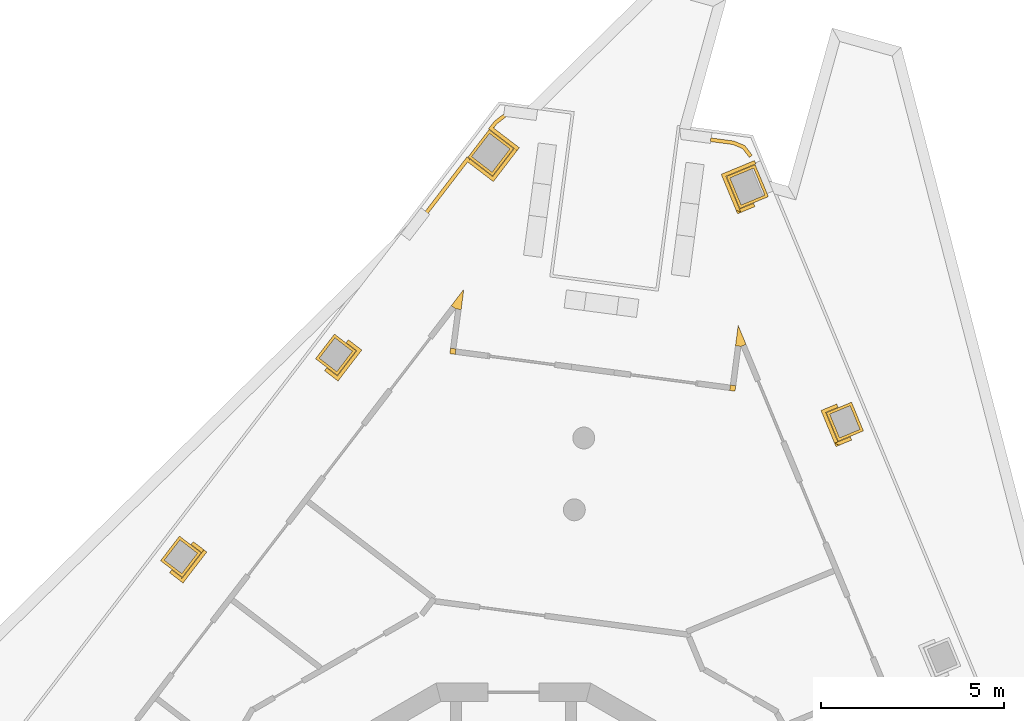
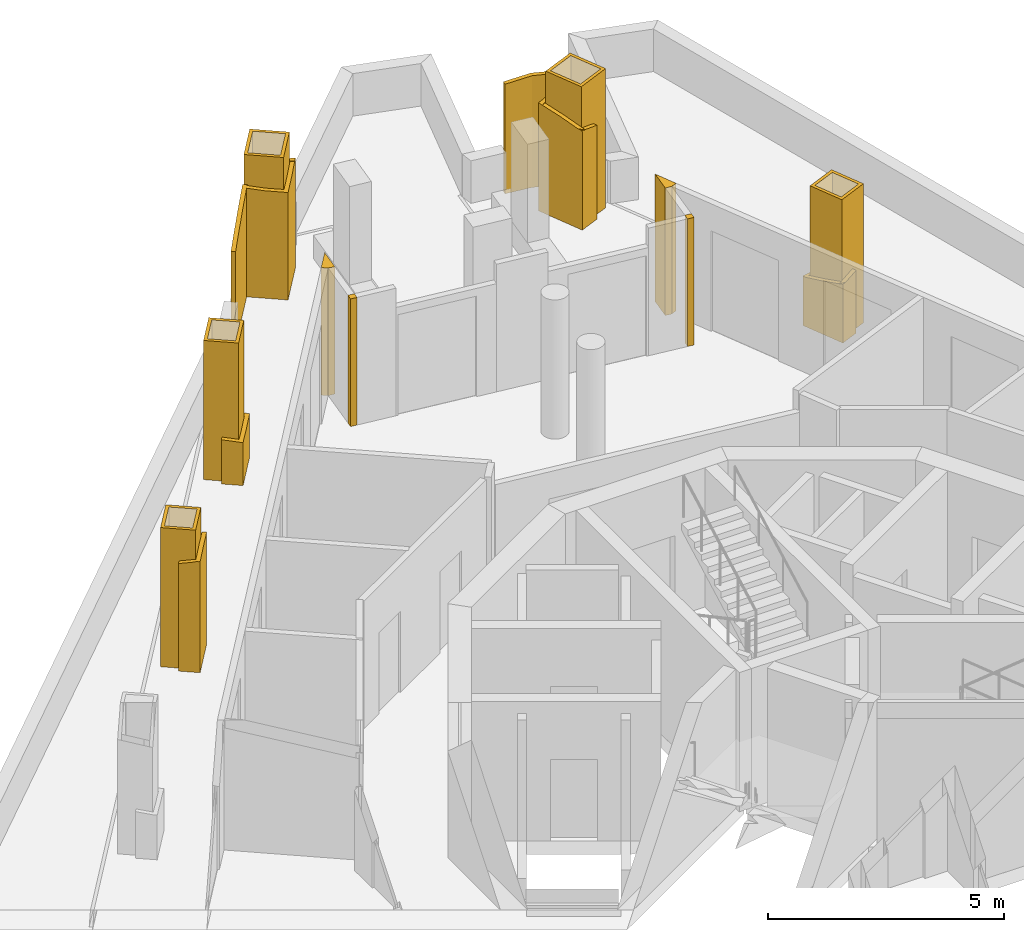
# One storey, part 11 of 12: 9 coverings, 6 railings.
"""IFC4 building model written with IfcOpenShell, lengths in metres."""

from ifc_helpers import new_model, si_unit, direction, frame, origin, place, context, subcontext, project, spatial, polyline, outline, extrude, material, layer, layer_set, type_object, element, save


model = new_model("IFC4")

# Units and contexts
model_context = context("Model", 3, precision=1e-05, world=origin(), true_north=direction((0.0, 1.0)))
body_context = subcontext(model_context, "Body", "Model", "MODEL_VIEW")
ifc_project = project(units=[si_unit("LENGTHUNIT", "METRE"), si_unit("AREAUNIT", "SQUARE_METRE"), si_unit("VOLUMEUNIT", "CUBIC_METRE"), si_unit("PLANEANGLEUNIT", "RADIAN"), si_unit("MASSUNIT", "GRAM", prefix="KILO")], contexts=[model_context])

# Site, building, storey
site_placement = place(None, origin())
site = spatial("IfcSite", under=ifc_project, at=site_placement, CompositionType="ELEMENT")
building_placement = place(site_placement, origin())
building = spatial("IfcBuilding", under=site, at=building_placement, Name="Trine Commons Tower", CompositionType="ELEMENT")
storey_placement = place(building_placement, frame((0.0, 0.0, 271.800048828125)))
storey = spatial("IfcBuildingStorey", under=building, at=storey_placement, Name="L71", CompositionType="ELEMENT", Elevation=271.800048828125)

# Coverings
ifc_material_1 = material(Name="Aluminium-framed insulated wall panel", Category="aluminium")
ifc_layer_1 = layer(ifc_material_1, 0.14990234375)
ifc_layer_set_1 = layer_set([ifc_layer_1], Name="Aluminium-framed insulated wall panel")
covering_type_1 = type_object("IfcCoveringType", Name="Glazing corner post, aluminium", PredefinedType="CLADDING", material=ifc_layer_set_1)
covering_1_placement = place(storey_placement, origin())
element("IfcCovering", 1, at=covering_1_placement, inside=storey, type_object=covering_type_1, Name="Glazing corner post 8-02", PredefinedType="CLADDING", context=body_context, shape_type="SweptSolid", body=[
    extrude(outline(polyline([(78.41845703125, 80.671875), (78.567138671875, 80.652099609375), (78.64013671875, 81.207275390625), (78.29931640625, 80.76318359375), (78.41845703125, 80.671875), (78.41845703125, 80.671875)])), origin(), (0.0, 0.0, 1.0), 3.300048828125),
])
covering_2_placement = place(storey_placement, origin())
element("IfcCovering", 2, at=covering_2_placement, inside=storey, type_object=covering_type_1, Name="Glazing corner post 8-03", PredefinedType="CLADDING", context=body_context, shape_type="SweptSolid", body=[
    extrude(outline(polyline([(78.40576171875, 79.427001953125), (78.42529296875, 79.57568359375), (78.276611328125, 79.59521484375), (78.257080078125, 79.446533203125), (78.40576171875, 79.427001953125)])), origin(), (0.0, 0.0, 1.0), 3.300048828125),
])
covering_3_placement = place(storey_placement, origin())
element("IfcCovering", 3, at=covering_3_placement, inside=storey, type_object=covering_type_1, Name="Glazing corner post 8-04", PredefinedType="CLADDING", context=body_context, shape_type="SweptSolid", body=[
    extrude(outline(polyline([(85.9208984375, 78.437744140625), (86.069580078125, 78.418212890625), (86.089111328125, 78.56689453125), (85.9404296875, 78.58642578125), (85.9208984375, 78.437744140625)])), origin(), (0.0, 0.0, 1.0), 3.300048828125),
])
covering_4_placement = place(storey_placement, origin())
element("IfcCovering", 4, at=covering_4_placement, inside=storey, type_object=covering_type_1, Name="Glazing corner post 8-05", PredefinedType="CLADDING", context=body_context, shape_type="SweptSolid", body=[
    extrude(outline(polyline([(86.082275390625, 79.662841796875), (86.23095703125, 79.643310546875), (86.369384765625, 79.70068359375), (86.1552734375, 80.2177734375), (86.082275390625, 79.662841796875)])), origin(), (0.0, 0.0, 1.0), 3.300048828125),
])
ifc_material_2 = material(Name="Limestone, honed", Category="masonry")
ifc_layer_2 = layer(ifc_material_2, 0.074951171875)
ifc_layer_set_2 = layer_set([ifc_layer_2], Name="Limestone, honed")
covering_type_2 = type_object("IfcCoveringType", Name="Limestone column cladding 75", PredefinedType="CLADDING", material=ifc_layer_set_2)
covering_5_placement = place(storey_placement, origin())
element("IfcCovering", 5, at=covering_5_placement, inside=storey, type_object=covering_type_2, Name="Limestone pier cladding 8-10", PredefinedType="CLADDING", context=body_context, shape_type="SweptSolid", body=[
    extrude(outline(polyline([(71.447021484375, 73.9931640625), (70.85205078125, 74.44970703125), (70.334716796875, 73.775390625), (70.9296875, 73.318603515625), (71.447021484375, 73.9931640625)]), holes=[polyline([(71.341796875, 73.979248046875), (70.865966796875, 74.344482421875), (70.439697265625, 73.789306640625), (70.915771484375, 73.423828125), (71.341796875, 73.979248046875)])]), origin(), (0.0, 0.0, 1.0), 3.599853515625),
])
covering_6_placement = place(storey_placement, origin())
element("IfcCovering", 6, at=covering_6_placement, inside=storey, type_object=covering_type_2, Name="Limestone pier cladding 8-11", PredefinedType="CLADDING", context=body_context, shape_type="SweptSolid", body=[
    extrude(outline(polyline([(75.691650390625, 79.52490234375), (75.0966796875, 79.9814453125), (74.579345703125, 79.30712890625), (75.17431640625, 78.8505859375), (75.691650390625, 79.52490234375)]), holes=[polyline([(75.586669921875, 79.510986328125), (75.110595703125, 79.876220703125), (74.684326171875, 79.321044921875), (75.160400390625, 78.955810546875), (75.586669921875, 79.510986328125)])]), origin(), (0.0, 0.0, 1.0), 3.599853515625),
])
covering_7_placement = place(storey_placement, origin())
element("IfcCovering", 7, at=covering_7_placement, inside=storey, type_object=covering_type_2, Name="Limestone pier cladding 8-12", PredefinedType="CLADDING", context=body_context, shape_type="SweptSolid", body=[
    extrude(outline(polyline([(80.006591796875, 85.06591796875), (79.332275390625, 85.58349609375), (78.75390625, 84.829833984375), (79.42822265625, 84.312255859375), (80.006591796875, 85.06591796875)]), holes=[polyline([(79.9013671875, 85.05224609375), (79.345947265625, 85.478271484375), (78.85888671875, 84.843505859375), (79.414306640625, 84.41748046875), (79.9013671875, 85.05224609375)])]), origin(), (0.0, 0.0, 1.0), 3.599853515625),
])
covering_8_placement = place(storey_placement, origin())
element("IfcCovering", 8, at=covering_8_placement, inside=storey, type_object=covering_type_2, Name="Limestone pier cladding 8-13", PredefinedType="CLADDING", context=body_context, shape_type="SweptSolid", body=[
    extrude(outline(polyline([(86.619384765625, 84.6240234375), (85.834228515625, 84.298828125), (86.19775390625, 83.421142578125), (86.98291015625, 83.746337890625), (86.619384765625, 84.6240234375)]), holes=[polyline([(86.578857421875, 84.526123046875), (85.93212890625, 84.25830078125), (86.23828125, 83.51904296875), (86.885009765625, 83.787109375), (86.578857421875, 84.526123046875)])]), origin(), (0.0, 0.0, 1.0), 3.599853515625),
])
covering_9_placement = place(storey_placement, origin())
element("IfcCovering", 9, at=covering_9_placement, inside=storey, type_object=covering_type_2, Name="Limestone pier cladding 8-14", PredefinedType="CLADDING", context=body_context, shape_type="SweptSolid", body=[
    extrude(outline(polyline([(89.2607421875, 78.11669921875), (88.56787109375, 77.82958984375), (88.89306640625, 77.04443359375), (89.5859375, 77.33154296875), (89.2607421875, 78.11669921875)]), holes=[polyline([(89.22021484375, 78.018798828125), (88.665771484375, 77.789306640625), (88.93359375, 77.142333984375), (89.488037109375, 77.3720703125), (89.22021484375, 78.018798828125)])]), origin(), (0.0, 0.0, 1.0), 3.599853515625),
])

# Railings
ifc_material_3 = material(Name="White powder-coated aluminium", Category="aluminium")
ifc_layer_3 = layer(ifc_material_3, 0.10009765625)
ifc_layer_set_3 = layer_set([ifc_layer_3], Name="White powder-coated aluminium")
railing_type = type_object("IfcRailingType", Name="White balustrade band 100", PredefinedType="GUARDRAIL", material=ifc_layer_set_3)
railing_1_placement = place(storey_placement, origin())
element("IfcRailing", 10, at=railing_1_placement, inside=storey, type_object=railing_type, Name="Guard band L71 10", PredefinedType="GUARDRAIL", context=body_context, shape_type="SweptSolid", body=[
    extrude(outline(polyline([(0.0, 0.0), (0.466064453125, 0.0), (0.4658203125, 2.87646484375), (0.4658203125, 2.87646484375), (0.0, 2.780517578125), (0.0, 0.0)])), frame((70.641845703125, 73.527099609375, 0.0), z_axis=(-0.608849459393, -0.793285784441, 0.0), x_axis=(0.793285784441, -0.608849459393, 0.0)), (0.0, 0.0, 1.0), 0.10009765625),
    extrude(outline(polyline([(0.0, 0.0), (1.071533203125, 0.0), (1.071533203125, 2.891845703125), (0.714599609375, 2.89990234375), (0.53564453125, 2.89794921875), (0.0, 2.8681640625), (0.0, 0.0)])), frame((70.8701171875, 73.22509765625, 0.0), z_axis=(0.793334916548, -0.608785438546, 0.0), x_axis=(0.608785438546, 0.793334916548, 0.0)), (0.0, 0.0, 1.0), 0.10009765625),
    extrude(outline(polyline([(0.0, 0.0), (0.465576171875, 0.0), (0.4658203125, 2.78076171875), (0.0, 2.895751953125), (0.0, 0.0)])), frame((71.540771484375, 73.93359375, 0.0), z_axis=(0.608772738221, 0.793344662299, 0.0), x_axis=(-0.793344662299, 0.608772738221, 0.0)), (0.0, 0.0, 1.0), 0.10009765625),
])
railing_2_placement = place(storey_placement, origin())
element("IfcRailing", 11, at=railing_2_placement, inside=storey, type_object=railing_type, Name="Guard band L71 11", PredefinedType="GUARDRAIL", context=body_context, shape_type="SweptSolid", body=[
    extrude(outline(polyline([(0.0, 0.0), (0.46630859375, 0.0), (0.46630859375, 1.109130859375), (0.46630859375, 1.109130859375), (0.0, 1.14453125), (0.0, 0.0)])), frame((74.88671875, 79.058837890625, 0.0), z_axis=(-0.608926062235, -0.793226985629, 0.0), x_axis=(0.793226985629, -0.608926062235, 0.0)), (0.0, 0.0, 1.0), 0.10009765625),
    extrude(outline(polyline([(0.0, 0.0), (1.07177734375, 0.0), (1.07177734375, 1.12158203125), (0.535888671875, 1.10009765625), (0.482666015625, 1.099853515625), (0.0, 1.114501953125), (0.0, 0.0)])), frame((75.114990234375, 78.7568359375, 0.0), z_axis=(0.793419335231, -0.608675413074, 0.0), x_axis=(0.608675413074, 0.793419335231, 0.0)), (0.0, 0.0, 1.0), 0.10009765625),
    extrude(outline(polyline([(0.0, 0.0), (0.465576171875, 0.0), (0.465576171875, 1.156494140625), (0.0, 1.11474609375), (0.0, 0.0)])), frame((75.785400390625, 79.46533203125, 0.0), z_axis=(0.608772738221, 0.793344662299, 0.0), x_axis=(-0.793344662299, 0.608772738221, 0.0)), (0.0, 0.0, 1.0), 0.10009765625),
])
railing_3_placement = place(storey_placement, origin())
element("IfcRailing", 12, at=railing_3_placement, inside=storey, type_object=railing_type, Name="Guard band L71 12", PredefinedType="GUARDRAIL", context=body_context, shape_type="SweptSolid", body=[
    extrude(outline(polyline([(0.0, 0.0), (1.88818359375, 0.0), (1.88818359375, 2.83349609375), (1.131591796875, 2.705810546875), (0.374755859375, 2.522216796875), (0.0, 2.41064453125), (0.0, 0.0)])), frame((77.578857421875, 83.339599609375, 0.0), z_axis=(0.793373222626, -0.608735516969, 0.0), x_axis=(0.608735516969, 0.793373222626, 0.0)), (0.0, 0.0, 1.0), 0.10009765625),
    extrude(outline(polyline([(0.0, 0.0), (0.986572265625, 0.0), (0.98681640625, 2.780029296875), (0.493408203125, 2.780029296875), (0.0, 2.820068359375), (0.0, 0.0)])), frame((78.7275390625, 84.837646484375, 0.0), z_axis=(-0.608753590889, -0.79335935463, 0.0), x_axis=(0.79335935463, -0.608753590889, 0.0)), (0.0, 0.0, 1.0), 0.10009765625),
    extrude(outline(polyline([(0.0, 0.0), (1.172119140625, 0.0), (1.172119140625, 2.84716796875), (0.5859375, 2.780029296875), (0.25146484375, 2.780029296875), (0.0, 2.780029296875), (0.0, 0.0)])), frame((79.368408203125, 84.21826171875, 0.0), z_axis=(0.793328040894, -0.608794398407, 0.0), x_axis=(0.608794398407, 0.793328040894, 0.0)), (0.0, 0.0, 1.0), 0.10009765625),
    extrude(outline(polyline([(0.0, 0.0), (0.986572265625, 0.0), (0.986572265625, 2.702880859375), (0.4931640625, 2.7939453125), (0.0, 2.858154296875), (0.0, 0.0)])), frame((80.10009765625, 85.006591796875, 0.0), z_axis=(0.608753590889, 0.79335935463, 0.0), x_axis=(-0.79335935463, 0.608753590889, 0.0)), (0.0, 0.0, 1.0), 0.10009765625),
    extrude(outline(polyline([(0.0, 0.0), (0.261474609375, 0.0), (0.261474609375, 2.668212890625), (0.0, 2.7236328125), (0.0, 0.0)])), frame((79.318115234375, 85.606201171875, 0.0), z_axis=(0.79345609225, -0.608627496644, 0.0), x_axis=(0.608627496644, 0.79345609225, 0.0)), (0.0, 0.0, 1.0), 0.10009765625),
    extrude(outline(polyline([(0.0, 0.0), (0.33251953125, 0.0), (0.33251953125, 2.592041015625), (0.0, 2.671630859375), (0.0, 0.0)])), frame((79.47607421875, 85.812255859375, 0.0), z_axis=(0.609355899448, -0.792896833017, 0.0), x_axis=(0.792896833017, 0.609355899448, 0.0)), (0.0, 0.0, 1.0), 0.10009765625),
])
railing_4_placement = place(storey_placement, origin())
element("IfcRailing", 13, at=railing_4_placement, inside=storey, type_object=railing_type, Name="Guard band L71 13", PredefinedType="GUARDRAIL", context=body_context, shape_type="SweptSolid", body=[
    extrude(outline(polyline([(0.0, 0.0), (0.63330078125, 0.0), (0.63330078125, 2.891845703125), (0.63330078125, 2.891845703125), (0.0, 2.835693359375), (0.0, 0.0)])), frame((85.40625, 85.35400390625, 0.0), z_axis=(-0.130673877523, -0.991425407044, 0.0), x_axis=(0.991425407044, -0.130673877523, 0.0)), (0.0, 0.0, 1.0), 0.10009765625),
    extrude(outline(polyline([(0.0, 0.0), (0.331787109375, 0.0), (0.33203125, 2.89990234375), (0.0, 2.891357421875), (0.0, 0.0)])), frame((86.031982421875, 85.271728515625, 0.0), z_axis=(-0.382525049986, -0.923945120737, 0.0), x_axis=(0.923945120737, -0.382525049986, 0.0)), (0.0, 0.0, 1.0), 0.10009765625),
    extrude(outline(polyline([(0.0, 0.0), (0.33203125, 0.0), (0.332275390625, 2.8955078125), (0.068603515625, 2.89990234375), (0.0, 2.899658203125), (0.0, 0.0)])), frame((86.337890625, 85.145751953125, 0.0), z_axis=(-0.793334100685, -0.608786501731, 0.0), x_axis=(0.608786501731, -0.793334100685, 0.0)), (0.0, 0.0, 1.0), 0.10009765625),
])
railing_5_placement = place(storey_placement, origin())
element("IfcRailing", 14, at=railing_5_placement, inside=storey, type_object=railing_type, Name="Guard band L71 14", PredefinedType="GUARDRAIL", context=body_context, shape_type="SweptSolid", body=[
    extrude(outline(polyline([(0.0, 0.0), (0.986328125, 0.0), (0.986328125, 2.780517578125), (0.4931640625, 2.849365234375), (0.0, 2.889404296875), (0.0, 0.0)])), frame((86.63916015625, 84.64306640625, 0.0), z_axis=(-0.382628669455, 0.92390221415, 0.0), x_axis=(-0.92390221415, -0.382628669455, 0.0)), (0.0, 0.0, 1.0), 0.10009765625),
    extrude(outline(polyline([(0.0, 0.0), (1.171630859375, 0.0), (1.171630859375, 2.54443359375), (0.5859375, 2.687255859375), (0.0, 2.796875), (0.0, 0.0)])), frame((85.78271484375, 84.39697265625, 0.0), z_axis=(-0.923925418119, -0.382572635919, 0.0), x_axis=(0.382572635919, -0.923925418119, 0.0)), (0.0, 0.0, 1.0), 0.10009765625),
    extrude(outline(polyline([(0.0, 0.0), (0.515869140625, 0.0), (0.515625, 2.427490234375), (0.493408203125, 2.434326171875), (0.0, 2.571533203125), (0.0, 0.0)])), frame((86.099365234375, 83.369384765625, 0.0), z_axis=(0.38246327846, -0.923970692517, 0.0), x_axis=(0.923970692517, 0.38246327846, 0.0)), (0.0, 0.0, 1.0), 0.10009765625),
])
railing_6_placement = place(storey_placement, origin())
element("IfcRailing", 15, at=railing_6_placement, inside=storey, type_object=railing_type, Name="Guard band L71 15", PredefinedType="GUARDRAIL", context=body_context, shape_type="SweptSolid", body=[
    extrude(outline(polyline([(0.0, 0.0), (0.465576171875, 0.0), (0.4658203125, 1.28076171875), (0.0, 1.197998046875), (0.0, 0.0)])), frame((88.891845703125, 77.974853515625, 0.0), z_axis=(-0.382753113792, 0.92385066644, 0.0), x_axis=(-0.92385066644, -0.382753113792, 0.0)), (0.0, 0.0, 1.0), 0.10009765625),
    extrude(outline(polyline([(0.0, 0.0), (1.071044921875, 0.0), (1.071044921875, 1.519287109375), (0.53564453125, 1.377685546875), (0.0, 1.2607421875), (0.0, 0.0)])), frame((88.516357421875, 77.927734375, 0.0), z_axis=(-0.923944607549, -0.38252628953, 0.0), x_axis=(0.38252628953, -0.923944607549, 0.0)), (0.0, 0.0, 1.0), 0.10009765625),
    extrude(outline(polyline([(0.0, 0.0), (0.465576171875, 0.0), (0.465576171875, 1.626953125), (0.0, 1.49072265625), (0.0, 0.0)])), frame((88.794921875, 76.992919921875, 0.0), z_axis=(0.382753113792, -0.92385066644, 0.0), x_axis=(0.92385066644, 0.382753113792, 0.0)), (0.0, 0.0, 1.0), 0.10009765625),
])

save(model, "model.ifc")
